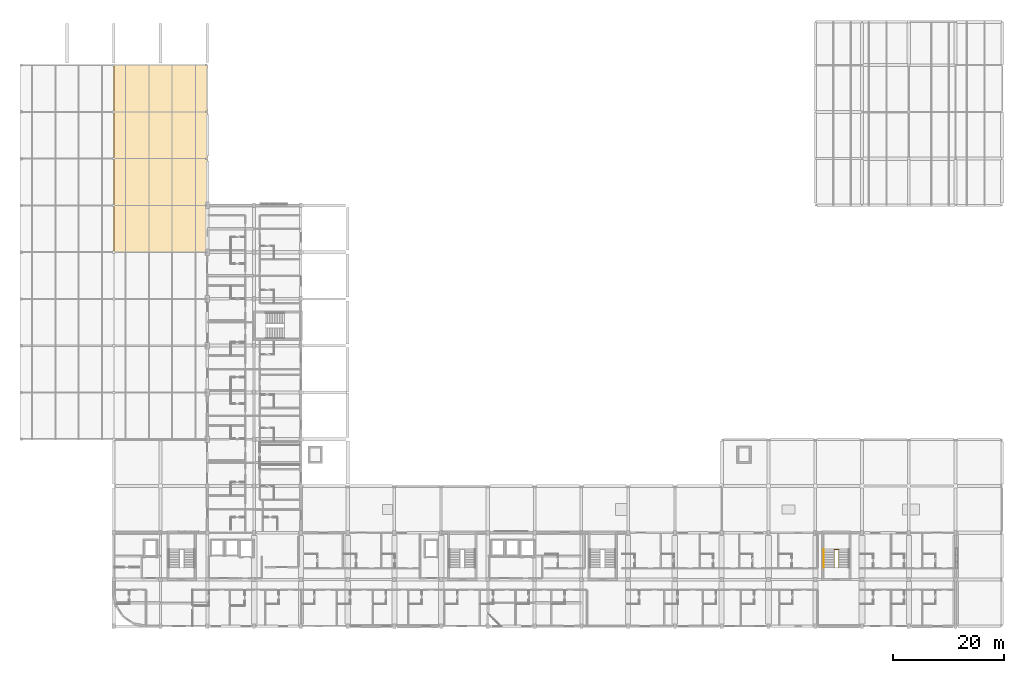
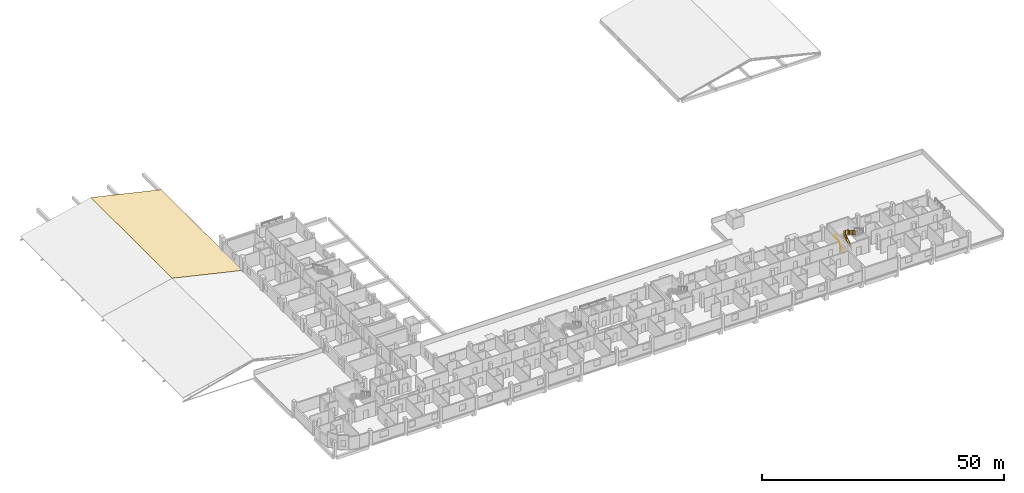
# One storey, part 41 of 42: 2 railings, 1 covering.
"""IFC4 building model written with IfcOpenShell, lengths in metres."""

from ifc_helpers import new_model, si_unit, derived_unit, direction, frame, origin, origin_2d, place, context, subcontext, project, spatial, polyline, circle, outline, extrude, material, layer, layer_set, type_object, element, save


model = new_model("IFC4")

# Units and contexts
model_context = context("Model", 3, precision=1e-05, world=origin(), true_north=direction((0.0, 1.0)))
body_context = subcontext(model_context, "Body", "Model", "MODEL_VIEW")
ifc_project = project(units=[si_unit("LENGTHUNIT", "METRE"), si_unit("AREAUNIT", "SQUARE_METRE"), si_unit("VOLUMEUNIT", "CUBIC_METRE"), si_unit("PLANEANGLEUNIT", "RADIAN"), si_unit("MASSUNIT", "GRAM", prefix="KILO"), derived_unit("THERMALTRANSMITTANCEUNIT", [(si_unit("POWERUNIT", "WATT"), 1), (si_unit("LENGTHUNIT", "METRE"), -2), (si_unit("THERMODYNAMICTEMPERATUREUNIT", "KELVIN"), -1)])], contexts=[model_context])

# Site, building, storey
site_placement = place(None, origin())
site = spatial("IfcSite", under=ifc_project, at=site_placement, CompositionType="ELEMENT")
building_placement = place(site_placement, origin())
building = spatial("IfcBuilding", under=site, at=building_placement, Name="Barrovel Congress Hotel", CompositionType="ELEMENT")
storey_placement = place(building_placement, frame((0.0, 0.0, 18.300048828125)))
storey = spatial("IfcBuildingStorey", under=building, at=storey_placement, Name="L04", CompositionType="ELEMENT", Elevation=18.300048828125)

# Covering
ifc_material_1 = material(Name="Terracotta Clay Tile Finish", Category="masonry")
ifc_layer_1 = layer(ifc_material_1, 0.050048828125)
ifc_layer_set_1 = layer_set([ifc_layer_1], Name="Terracotta Clay Tile Finish")
covering_type = type_object("IfcCoveringType", Name="COV-ROOFING-TILE", PredefinedType="ROOFING", material=ifc_layer_set_1)
covering_placement = place(storey_placement, frame((16.800048828125, 71.39990234375, 3.928466796875), z_axis=(0.22494120268, 0.0, 0.974372339169), x_axis=(0.974372339169, 0.0, -0.22494120268)))
element("IfcCovering", 1, at=covering_placement, inside=storey, type_object=covering_type, Name="COV:V1-ROOF-E2", PredefinedType="ROOFING", context=body_context, shape_type="SweptSolid", body=[
    extrude(outline(polyline([(0.0, 0.0), (17.24191887719308, 0.0), (17.24191887719308, 33.60009765624999), (0.0, 33.60009765624999), (0.0, 0.0)])), origin(), (0.0, 0.0, -1.0), 0.050048828125),
])

# Railings
ifc_material_2 = material(Name="Painted Architectural Steel", Category="steel")
ifc_layer_2 = layer(ifc_material_2, 0.070068359375)
ifc_layer_set_2 = layer_set([ifc_layer_2], Name="Painted Architectural Steel")
railing_type_1 = type_object("IfcRailingType", Name="RAIL-GUARD-INT", PredefinedType="BALUSTRADE", material=ifc_layer_set_2)
railing_1_placement = place(storey_placement, frame((146.199951171875, 14.739990234375, 0.0)))
element("IfcRailing", 2, at=railing_1_placement, inside=storey, type_object=railing_type_1, Name="STAIR:XS-04:L04:GR-W", PredefinedType="BALUSTRADE", context=body_context, shape_type="SweptSolid", body=[
    extrude(circle(Radius=0.02392578125, at=origin_2d()), frame((0.0, 0.0, 1.11572265625), z_axis=(0.0, 0.876041855244, 0.482235075311), x_axis=(-1.0, 0.0, 0.0)), (0.0, 0.0, 1.0), 3.732666015625),
    extrude(circle(Radius=0.02392578125, at=origin_2d()), frame((0.0, 0.0, 0.10009765625), z_axis=(0.0, 0.876041855244, 0.482235075311), x_axis=(-1.0, 0.0, 0.0)), (0.0, 0.0, 1.0), 3.732666015625),
    extrude(circle(Radius=0.010009765625, at=origin_2d()), frame((0.0, 0.36328125, 0.300048828125)), (0.0, 0.0, 1.0), 0.99169921875),
    extrude(circle(Radius=0.010009765625, at=origin_2d()), frame((0.0, 0.7265625, 0.5)), (0.0, 0.0, 1.0), 0.99169921875),
    extrude(circle(Radius=0.010009765625, at=origin_2d()), frame((0.0, 1.090087890625, 0.699951171875)), (0.0, 0.0, 1.0), 0.99169921875),
    extrude(circle(Radius=0.010009765625, at=origin_2d()), frame((0.0, 1.453369140625, 0.89990234375)), (0.0, 0.0, 1.0), 0.99169921875),
    extrude(circle(Radius=0.010009765625, at=origin_2d()), frame((0.0, 1.816650390625, 1.10009765625)), (0.0, 0.0, 1.0), 0.99169921875),
    extrude(circle(Radius=0.010009765625, at=origin_2d()), frame((0.0, 2.179931640625, 1.300048828125)), (0.0, 0.0, 1.0), 0.99169921875),
    extrude(circle(Radius=0.010009765625, at=origin_2d()), frame((0.0, 2.54345703125, 1.5)), (0.0, 0.0, 1.0), 0.99169921875),
    extrude(circle(Radius=0.010009765625, at=origin_2d()), frame((0.0, 2.90673828125, 1.699951171875)), (0.0, 0.0, 1.0), 0.99169921875),
    extrude(circle(Radius=0.02392578125, at=origin_2d()), frame((0.0, 3.27001953125, 2.916015625), z_axis=(1.0, 0.0, 0.0), x_axis=(0.0, 1.0, 0.0)), (0.0, 0.0, 1.0), 0.800048828125),
    extrude(circle(Radius=0.02392578125, at=origin_2d()), frame((0.0, 3.27001953125, 1.900146484375), z_axis=(1.0, 0.0, 0.0), x_axis=(0.0, 1.0, 0.0)), (0.0, 0.0, 1.0), 0.800048828125),
    extrude(circle(Radius=0.010009765625, at=origin_2d()), frame((0.39990234375, 3.27001953125, 1.900146484375)), (0.0, 0.0, 1.0), 0.99169921875),
    extrude(circle(Radius=0.02392578125, at=origin_2d()), frame((0.800048828125, 3.27001953125, 2.916015625), z_axis=(0.0, -0.87606948578, 0.482184877495), x_axis=(1.0, 0.0, 0.0)), (0.0, 0.0, 1.0), 3.732666015625),
    extrude(circle(Radius=0.02392578125, at=origin_2d()), frame((0.800048828125, 3.27001953125, 1.900146484375), z_axis=(0.0, -0.87606948578, 0.482184877495), x_axis=(1.0, 0.0, 0.0)), (0.0, 0.0, 1.0), 3.732666015625),
    extrude(circle(Radius=0.010009765625, at=origin_2d()), frame((0.800048828125, 2.90673828125, 2.10009765625)), (0.0, 0.0, 1.0), 0.99169921875),
    extrude(circle(Radius=0.010009765625, at=origin_2d()), frame((0.800048828125, 2.54345703125, 2.300048828125)), (0.0, 0.0, 1.0), 0.99169921875),
    extrude(circle(Radius=0.010009765625, at=origin_2d()), frame((0.800048828125, 2.179931640625, 2.5)), (0.0, 0.0, 1.0), 0.99169921875),
    extrude(circle(Radius=0.010009765625, at=origin_2d()), frame((0.800048828125, 1.816650390625, 2.699951171875)), (0.0, 0.0, 1.0), 0.99169921875),
    extrude(circle(Radius=0.010009765625, at=origin_2d()), frame((0.800048828125, 1.453369140625, 2.89990234375)), (0.0, 0.0, 1.0), 0.99169921875),
    extrude(circle(Radius=0.010009765625, at=origin_2d()), frame((0.800048828125, 1.090087890625, 3.099853515625)), (0.0, 0.0, 1.0), 0.99169921875),
    extrude(circle(Radius=0.010009765625, at=origin_2d()), frame((0.800048828125, 0.7265625, 3.2998046875)), (0.0, 0.0, 1.0), 0.99169921875),
    extrude(circle(Radius=0.010009765625, at=origin_2d()), frame((0.800048828125, 0.36328125, 3.499755859375)), (0.0, 0.0, 1.0), 0.99169921875),
    extrude(circle(Radius=0.02099609375, at=origin_2d()), origin(), (0.0, 0.0, 1.0), 1.091796875),
    extrude(circle(Radius=0.02099609375, at=origin_2d()), frame((0.0, 1.090087890625, 0.60009765625)), (0.0, 0.0, 1.0), 1.091796875),
    extrude(circle(Radius=0.02099609375, at=origin_2d()), frame((0.0, 2.179931640625, 1.199951171875)), (0.0, 0.0, 1.0), 1.091796875),
    extrude(circle(Radius=0.02099609375, at=origin_2d()), frame((0.0, 3.27001953125, 1.800048828125)), (0.0, 0.0, 1.0), 1.091796875),
    extrude(circle(Radius=0.02099609375, at=origin_2d()), frame((0.800048828125, 3.27001953125, 1.800048828125)), (0.0, 0.0, 1.0), 1.091796875),
    extrude(circle(Radius=0.02099609375, at=origin_2d()), frame((0.800048828125, 2.179931640625, 2.39990234375)), (0.0, 0.0, 1.0), 1.091796875),
    extrude(circle(Radius=0.02099609375, at=origin_2d()), frame((0.800048828125, 1.090087890625, 3.0)), (0.0, 0.0, 1.0), 1.091796875),
    extrude(circle(Radius=0.02099609375, at=origin_2d()), frame((0.800048828125, 0.0, 3.599853515625)), (0.0, 0.0, 1.0), 1.091796875),
])
ifc_material_3 = material(Name="Brushed Stainless Steel", Category="steel")
ifc_layer_3 = layer(ifc_material_3, 0.050048828125)
ifc_layer_set_3 = layer_set([ifc_layer_3], Name="Brushed Stainless Steel")
railing_type_2 = type_object("IfcRailingType", Name="RAIL-HAND", PredefinedType="HANDRAIL", material=ifc_layer_set_3)
railing_2_placement = place(storey_placement, frame((144.320068359375, 14.739990234375, 0.0)))
element("IfcRailing", 3, at=railing_2_placement, inside=storey, type_object=railing_type_2, Name="STAIR:XS-04:L04:HR-1", PredefinedType="HANDRAIL", context=body_context, shape_type="SweptSolid", body=[
    extrude(circle(Radius=0.02392578125, at=origin_2d()), frame((0.0, 0.0, 0.89599609375), z_axis=(0.0, 0.876041855244, 0.482235075311), x_axis=(-1.0, 0.0, 0.0)), (0.0, 0.0, 1.0), 3.732666015625),
    extrude(circle(Radius=0.02099609375, at=origin_2d()), origin(), (0.0, 0.0, 1.0), 0.871826171875),
    extrude(circle(Radius=0.02099609375, at=origin_2d()), frame((0.0, 1.090087890625, 0.60009765625)), (0.0, 0.0, 1.0), 0.871826171875),
    extrude(circle(Radius=0.02099609375, at=origin_2d()), frame((0.0, 2.179931640625, 1.199951171875)), (0.0, 0.0, 1.0), 0.871826171875),
    extrude(circle(Radius=0.02099609375, at=origin_2d()), frame((0.0, 3.27001953125, 1.800048828125)), (0.0, 0.0, 1.0), 0.871826171875),
])

save(model, "model.ifc")
